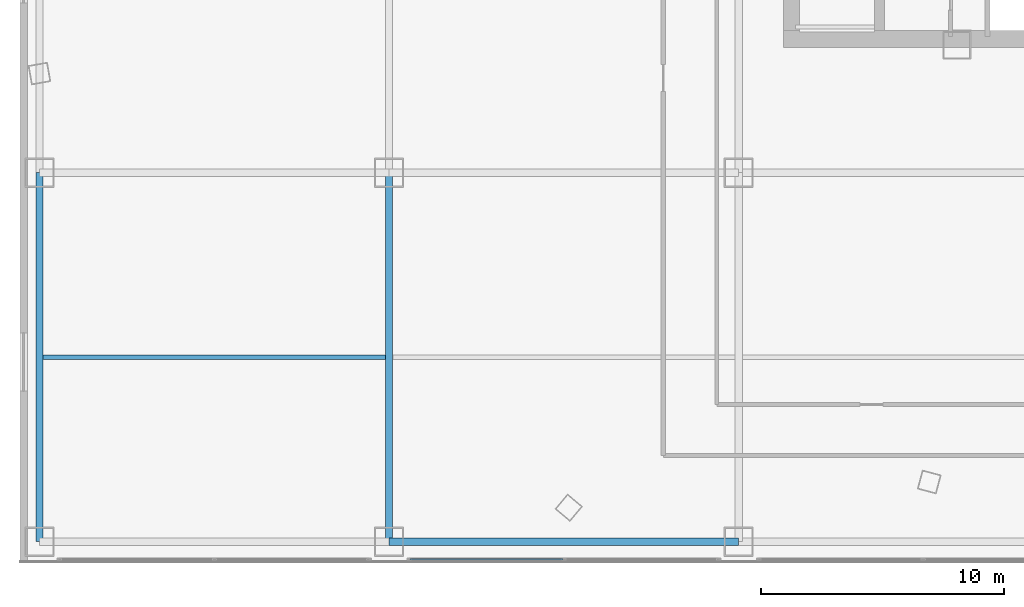
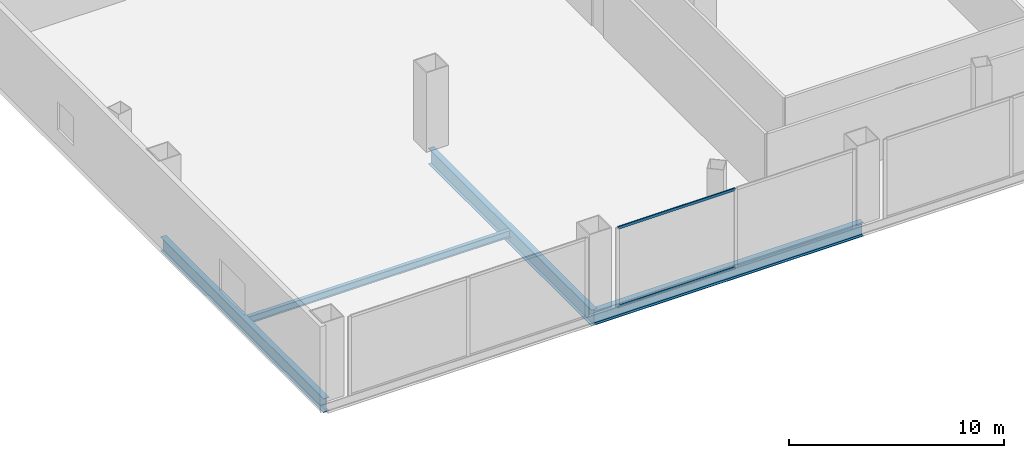
# One storey, part 4 of 27: 4 beams, 2 members, 1 element without a shape of its own.
"""IFC4 building model written with IfcOpenShell, lengths in metres."""

from ifc_helpers import new_model, si_unit, direction, frame, origin, origin_2d, place, context, subcontext, project, spatial, hollow_rectangle, i_section, extrude, source, transform, mapped, material, layer, layer_set, material_profile, profile_set, type_object, element, aggregate, save


model = new_model("IFC4")

# Units and contexts
model_context = context("Model", 3, precision=1e-05, world=origin(), true_north=direction((0.0, 1.0)))
body_context = subcontext(model_context, "Body", "Model", "MODEL_VIEW")
ifc_project = project(units=[si_unit("LENGTHUNIT", "METRE"), si_unit("AREAUNIT", "SQUARE_METRE"), si_unit("VOLUMEUNIT", "CUBIC_METRE"), si_unit("PLANEANGLEUNIT", "RADIAN"), si_unit("MASSUNIT", "GRAM", prefix="KILO"), si_unit("THERMODYNAMICTEMPERATUREUNIT", "KELVIN"), si_unit("POWERUNIT", "WATT")], contexts=[model_context])

# Site, building, storey
site_placement = place(None, origin())
site = spatial("IfcSite", under=ifc_project, at=site_placement, CompositionType="ELEMENT")
building_placement = place(site_placement, origin())
building = spatial("IfcBuilding", under=site, at=building_placement, Name="Yunzhuo Pagoda Commons", CompositionType="ELEMENT")
storey_placement = place(building_placement, frame((0.0, 0.0, 9.60009765625)))
storey = spatial("IfcBuildingStorey", under=building, at=storey_placement, Name="L03", CompositionType="ELEMENT", Elevation=9.60009765625)

# Beams
ifc_material_1 = material(Name="Structural steel Q355B", Category="steel")
ifc_material_profile_1 = material_profile(ifc_material_1, i_section(OverallWidth=0.300048828125, OverallDepth=0.800048828125, WebThickness=0.013916015625, FlangeThickness=0.02587890625, at=origin_2d()), Name="Structural steel Q355B")
ifc_profile_set_1 = profile_set([ifc_material_profile_1], Name="Structural steel Q355B")
beam_type_1 = type_object("IfcBeamType", Name="B-PD2 Beam HN 800x300x14x26", PredefinedType="BEAM", material=ifc_profile_set_1)
shared_shape_1 = source(origin(), body_context, "Body", "SweptSolid", [
    extrude(i_section(OverallWidth=0.300048828125, OverallDepth=0.800048828125, WebThickness=0.013916015625, FlangeThickness=0.02587890625, at=origin_2d()), origin(), (0.0, 0.0, 1.0), 14.400146484375),
])
beam_1_placement = place(storey_placement, frame((19.199951171875, 6.800048828125, -0.68017578125), z_axis=(1.0, 0.0, 0.0), x_axis=(0.0, 1.0, 0.0)))
element("IfcBeam", 1, at=beam_1_placement, inside=storey, type_object=beam_type_1, Name="L03 podium girder EW 1.2", PredefinedType="BEAM", context=body_context, shape_type="MappedRepresentation", body=[
    mapped(shared_shape_1, transform((0.0, 0.0, 0.0), scale=1.0)),
])
shared_shape_2 = source(origin(), body_context, "Body", "SweptSolid", [
    extrude(i_section(OverallWidth=0.300048828125, OverallDepth=0.800048828125, WebThickness=0.013916015625, FlangeThickness=0.02587890625, at=origin_2d()), origin(), (0.0, 0.0, 1.0), 15.199951171875),
])
beam_2_placement = place(storey_placement, frame((4.800048828125, 6.800048828125, -0.68017578125), z_axis=(0.0, 1.0, 0.0), x_axis=(-1.0, 0.0, 0.0)))
element("IfcBeam", 2, at=beam_2_placement, inside=storey, type_object=beam_type_1, Name="L03 podium girder NS 1.1", PredefinedType="BEAM", context=body_context, shape_type="MappedRepresentation", body=[
    mapped(shared_shape_2, transform((0.0, 0.0, 0.0), scale=1.0)),
])
ifc_material_profile_2 = material_profile(ifc_material_1, i_section(OverallWidth=0.199951171875, OverallDepth=0.39990234375, WebThickness=0.008056640625, FlangeThickness=0.012939453125, at=origin_2d()), Name="Structural steel Q355B")
ifc_profile_set_2 = profile_set([ifc_material_profile_2], Name="Structural steel Q355B")
beam_type_2 = type_object("IfcBeamType", Name="B-JS1 Joist HN 400x200x8x13", PredefinedType="JOIST", material=ifc_profile_set_2)
shared_shape_3 = source(origin(), body_context, "Body", "SweptSolid", [
    extrude(i_section(OverallWidth=0.199951171875, OverallDepth=0.39990234375, WebThickness=0.008056640625, FlangeThickness=0.012939453125, at=origin_2d()), origin(), (0.0, 0.0, 1.0), 14.08984375),
])
beam_3_placement = place(storey_placement, frame((4.955078125, 14.39990234375, -0.47998046875), z_axis=(1.0, 0.0, 0.0), x_axis=(0.0, 1.0, 0.0)))
element("IfcBeam", 3, at=beam_3_placement, inside=storey, type_object=beam_type_2, Name="L03 podium composite joist 1.1", PredefinedType="JOIST", context=body_context, shape_type="MappedRepresentation", body=[
    mapped(shared_shape_3, transform((0.0, 0.0, 0.0), scale=1.0)),
])
ifc_material_profile_3 = material_profile(ifc_material_1, i_section(OverallWidth=0.300048828125, OverallDepth=0.89990234375, WebThickness=0.01611328125, FlangeThickness=0.028076171875, at=origin_2d()), Name="Structural steel Q355B")
ifc_profile_set_3 = profile_set([ifc_material_profile_3], Name="Structural steel Q355B")
beam_type_3 = type_object("IfcBeamType", Name="B-PD1 Beam HN 900x300x16x28", PredefinedType="BEAM", material=ifc_profile_set_3)
shared_shape_4 = source(origin(), body_context, "Body", "SweptSolid", [
    extrude(i_section(OverallWidth=0.300048828125, OverallDepth=0.89990234375, WebThickness=0.01611328125, FlangeThickness=0.028076171875, at=origin_2d()), origin(), (0.0, 0.0, 1.0), 15.199951171875),
])
beam_4_placement = place(storey_placement, frame((19.199951171875, 6.800048828125, -0.72998046875), z_axis=(0.0, 1.0, 0.0), x_axis=(-1.0, 0.0, 0.0)))
element("IfcBeam", 4, at=beam_4_placement, inside=storey, type_object=beam_type_3, Name="L03 podium girder NS 2.1", PredefinedType="BEAM", context=body_context, shape_type="MappedRepresentation", body=[
    mapped(shared_shape_4, transform((0.0, 0.0, 0.0), scale=1.0)),
])

# Curtain wall, members
ifc_material_2 = material(Name="Anodized aluminium 6063-T6", Category="aluminium")
ifc_layer = layer(ifc_material_2, 0.179931640625)
ifc_layer_set = layer_set([ifc_layer], Name="Anodized aluminium 6063-T6")
curtain_wall_type = type_object("IfcCurtainWallType", Name="CW-POD Waterfront Podium Curtain Wall", PredefinedType="NOTDEFINED", material=ifc_layer_set)
curtain_wall_placement = place(storey_placement, origin())
curtain_wall = element("IfcCurtainWall", 5, at=curtain_wall_placement, inside=storey, type_object=curtain_wall_type, Name="L03 curtain wall CW-L03-S2", PredefinedType="NOTDEFINED")
ifc_material_profile_4 = material_profile(ifc_material_2, hollow_rectangle(XDim=0.06005859375, YDim=0.14990234375, WallThickness=0.00390625, at=origin_2d()), Name="Anodized aluminium 6063-T6")
ifc_profile_set_4 = profile_set([ifc_material_profile_4], Name="Anodized aluminium 6063-T6")
member_type = type_object("IfcMemberType", Name="CW-POD-T Transom RHS 150x60x4", PredefinedType="USERDEFINED", material=ifc_profile_set_4)
shared_shape_5 = source(origin(), body_context, "Body", "SweptSolid", [
    extrude(hollow_rectangle(XDim=0.06005859375, YDim=0.14990234375, WallThickness=0.00390625, at=origin_2d()), origin(), (0.0, 0.0, 1.0), 6.302490234375),
])
member_1_placement = place(storey_placement, frame((20.06494140625, 6.080078125, 0.02978515625), z_axis=(1.0, 0.0, 0.0), x_axis=(0.0, 1.0, 0.0)))
member_1 = element("IfcMember", 6, at=member_1_placement, type_object=member_type, Name="CW transom 1.1", ObjectType="TRANSOM", PredefinedType="USERDEFINED", context=body_context, shape_type="MappedRepresentation", body=[
    mapped(shared_shape_5, transform((0.0, 0.0, 0.0), scale=1.0)),
])
member_2_placement = place(storey_placement, frame((20.06494140625, 6.080078125, 4.489990234375), z_axis=(1.0, 0.0, 0.0), x_axis=(0.0, 1.0, 0.0)))
member_2 = element("IfcMember", 7, at=member_2_placement, type_object=member_type, Name="CW transom 1.2", ObjectType="TRANSOM", PredefinedType="USERDEFINED", context=body_context, shape_type="MappedRepresentation", body=[
    mapped(shared_shape_5, transform((0.0, 0.0, 0.0), scale=1.0)),
])
aggregate(curtain_wall, [member_1, member_2])

save(model, "model.ifc")
